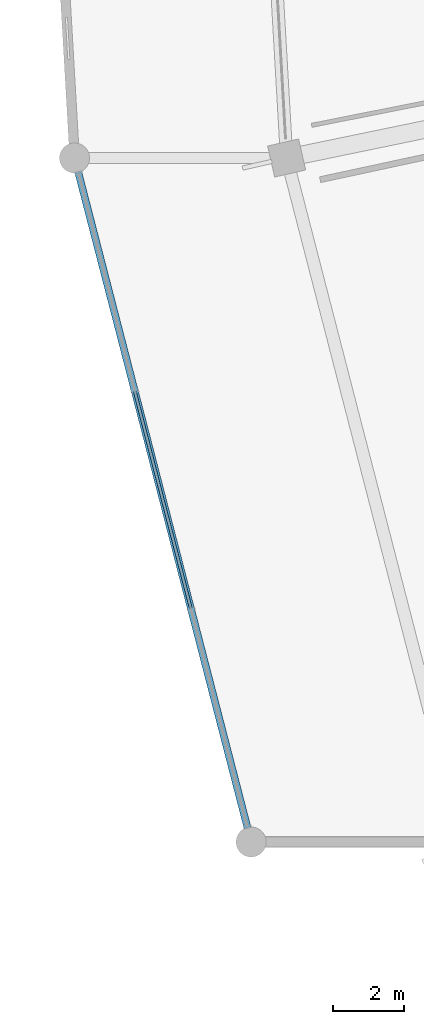
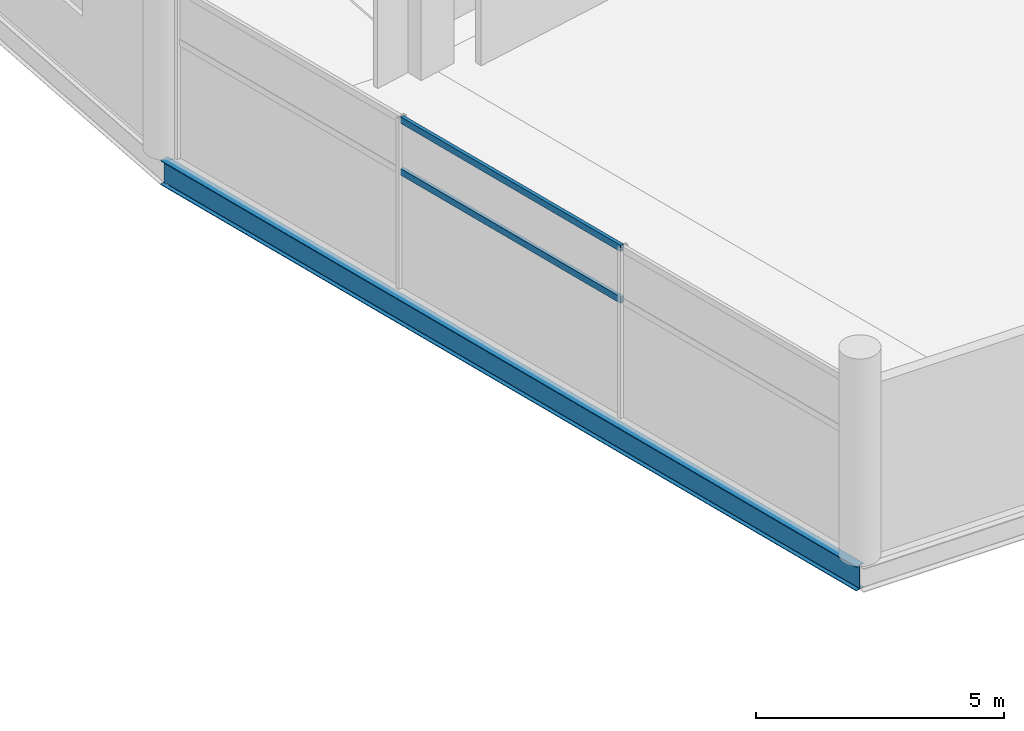
# One storey, part 9 of 184: 2 members, 1 beam, 1 element without a shape of its own.
"""IFC4 building model written with IfcOpenShell, lengths in metres."""

from ifc_helpers import new_model, si_unit, direction, frame, origin, origin_2d, place, context, subcontext, project, spatial, hollow_rectangle, i_section, extrude, material, layer, layer_set, material_profile, profile_set, type_object, element, aggregate, save


model = new_model("IFC4")

# Units and contexts
model_context = context("Model", 3, precision=1e-05, world=origin(), true_north=direction((0.0, 1.0)))
body_context = subcontext(model_context, "Body", "Model", "MODEL_VIEW")
ifc_project = project(units=[si_unit("LENGTHUNIT", "METRE"), si_unit("AREAUNIT", "SQUARE_METRE"), si_unit("VOLUMEUNIT", "CUBIC_METRE"), si_unit("PLANEANGLEUNIT", "RADIAN"), si_unit("MASSUNIT", "GRAM", prefix="KILO")], contexts=[model_context])

# Site, building, storey
site_placement = place(None, origin())
site = spatial("IfcSite", under=ifc_project, at=site_placement, CompositionType="ELEMENT")
building_placement = place(site_placement, origin())
building = spatial("IfcBuilding", under=site, at=building_placement, Name="Kazemori Nagisa Stadium", CompositionType="ELEMENT")
storey_placement = place(building_placement, frame((0.0, 0.0, 10.5400390625)))
storey = spatial("IfcBuildingStorey", under=building, at=storey_placement, Name="L02", CompositionType="ELEMENT", Elevation=10.5400390625)

# Beam
ifc_material_1 = material(Name="Steel SN490B", Category="steel")
ifc_material_profile_1 = material_profile(ifc_material_1, i_section(OverallWidth=0.199951171875, OverallDepth=0.60009765625, WebThickness=0.010986328125, FlangeThickness=0.01708984375, FilletRadius=0.012939453125, at=origin_2d()), Name="H-600x200x11x17")
ifc_profile_set_1 = profile_set([ifc_material_profile_1], Name="Steel SN490B")
beam_type = type_object("IfcBeamType", Name="Beam_BS-H600", PredefinedType="SPANDREL", material=ifc_profile_set_1)
beam_placement = place(storey_placement, frame((23.119140625, 82.602294921875, -0.553955078125), z_axis=(0.249964097999, -0.968255105699, 0.0), x_axis=(0.968255105699, 0.249964097999, 0.0)))
element("IfcBeam", 1, at=beam_placement, inside=storey, type_object=beam_type, Name="Boulevard edge beam BS-H600 L02 R4-16", PredefinedType="SPANDREL", context=body_context, shape_type="SweptSolid", body=[
    extrude(i_section(OverallWidth=0.199951171875, OverallDepth=0.60009765625, WebThickness=0.010986328125, FlangeThickness=0.01708984375, FilletRadius=0.012939453125, at=origin_2d()), origin(), (0.0, 0.0, 1.0), 19.986328125),
])

# Curtain wall, members
ifc_material_2 = material(Name="Anodised aluminium 6063-T5", Category="aluminium")
ifc_layer = layer(ifc_material_2, 0.2099609375, Name="Anodised aluminium 6063-T5", Category="aluminium")
ifc_layer_set = layer_set([ifc_layer], Name="Anodised aluminium 6063-T5")
curtain_wall_type = type_object("IfcCurtainWallType", Name="CW_L02R3_96", PredefinedType="USERDEFINED", material=ifc_layer_set)
curtain_wall_placement = place(storey_placement, origin())
curtain_wall = element("IfcCurtainWall", 2, at=curtain_wall_placement, inside=storey, type_object=curtain_wall_type, Name="Unitised curtain wall CW-L02R3-96 L02", ObjectType="UNITISED CURTAIN WALL", PredefinedType="USERDEFINED")
ifc_material_3 = material(Name="Aluminium 6063-T5 anodised", Category="aluminium")
ifc_material_profile_2 = material_profile(ifc_material_3, hollow_rectangle(XDim=0.080078125, YDim=0.159912109375, WallThickness=0.00390625, at=origin_2d()), Name="ALU-TRAN-80x160x4")
ifc_profile_set_2 = profile_set([ifc_material_profile_2], Name="Aluminium 6063-T5 anodised")
member_type = type_object("IfcMemberType", Name="Transom_T02", PredefinedType="USERDEFINED", material=ifc_profile_set_2)
member_1_placement = place(storey_placement, frame((24.82666015625, 75.98876953125, 2.84912109375), z_axis=(0.249948056089, -0.968259246926, 0.0), x_axis=(0.968259246926, 0.249948056089, 0.0)))
member_1 = element("IfcMember", 3, at=member_1_placement, type_object=member_type, Name="Curtain wall transom CW-L02R3-96-T2-mid", ObjectType="TRANSOM", PredefinedType="USERDEFINED", context=body_context, shape_type="SweptSolid", body=[
    extrude(hollow_rectangle(XDim=0.080078125, YDim=0.159912109375, WallThickness=0.00390625, at=origin_2d()), origin(), (0.0, 0.0, 1.0), 6.325439453125),
])
member_2_placement = place(storey_placement, frame((24.82666015625, 75.98876953125, 4.119873046875), z_axis=(0.249948056089, -0.968259246926, 0.0), x_axis=(0.968259246926, 0.249948056089, 0.0)))
member_2 = element("IfcMember", 4, at=member_2_placement, type_object=member_type, Name="Curtain wall transom CW-L02R3-96-T2-head", ObjectType="TRANSOM", PredefinedType="USERDEFINED", context=body_context, shape_type="SweptSolid", body=[
    extrude(hollow_rectangle(XDim=0.080078125, YDim=0.159912109375, WallThickness=0.00390625, at=origin_2d()), origin(), (0.0, 0.0, 1.0), 6.325439453125),
])
aggregate(curtain_wall, [member_1, member_2])

save(model, "model.ifc")
